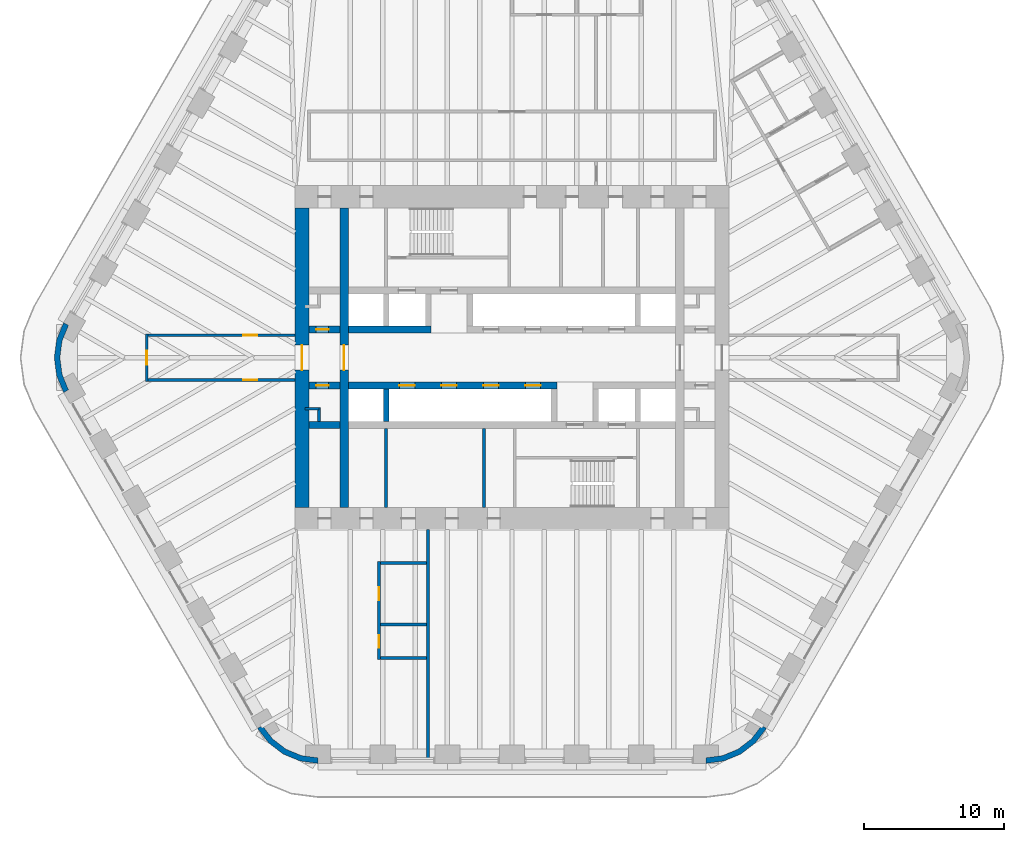
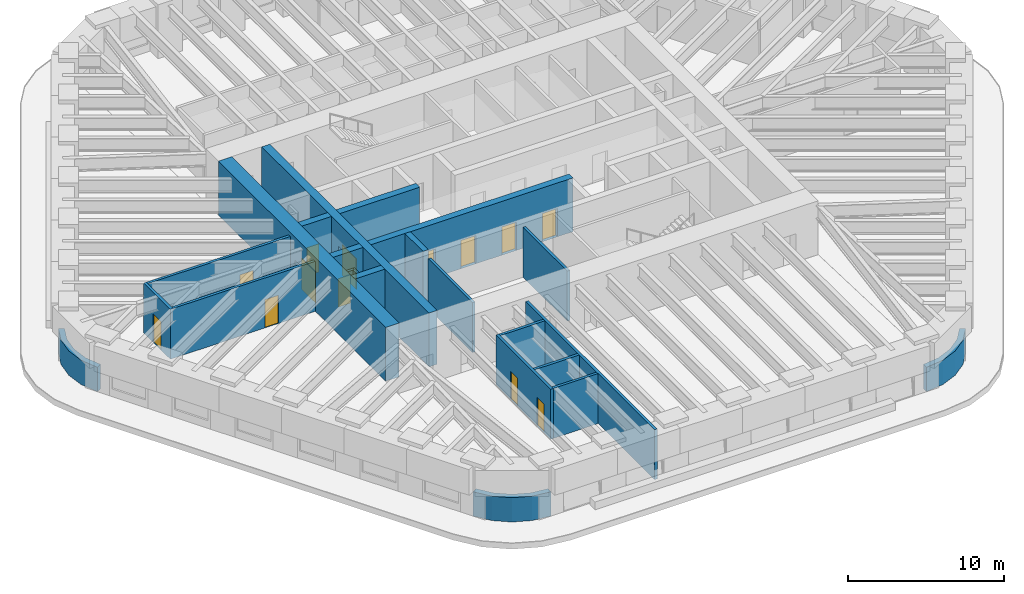
# One storey, part 7 of 12: 23 walls, 13 doors, 13 openings.
"""IFC4 building model written with IfcOpenShell, lengths in metres."""

from ifc_helpers import new_model, si_unit, direction, frame, frame_2d, origin, place, context, subcontext, project, spatial, polyline, rectangle, outline, extrude, material, layer, layer_set, type_object, element, fill, save


model = new_model("IFC4")

# Units and contexts
model_context = context("Model", 3, precision=1e-05, world=origin(), true_north=direction((0.0, 1.0)))
body_context = subcontext(model_context, "Body", "Model", "MODEL_VIEW")
ifc_project = project(units=[si_unit("LENGTHUNIT", "METRE"), si_unit("AREAUNIT", "SQUARE_METRE"), si_unit("VOLUMEUNIT", "CUBIC_METRE"), si_unit("PLANEANGLEUNIT", "RADIAN"), si_unit("MASSUNIT", "GRAM", prefix="KILO")], contexts=[model_context])

# Site, building, storey
site_placement = place(None, origin())
site = spatial("IfcSite", under=ifc_project, at=site_placement, CompositionType="ELEMENT")
building_placement = place(site_placement, origin())
building = spatial("IfcBuilding", under=site, at=building_placement, Name="Tarfa Lantern Tower", CompositionType="ELEMENT")
storey_placement = place(building_placement, frame((0.0, 0.0, 295.300048828125)))
storey = spatial("IfcBuildingStorey", under=building, at=storey_placement, Name="L67", CompositionType="ELEMENT", Elevation=295.300048828125)

# Walls
ifc_material_1 = material(Name="Limestone cladding on blockwork", Category="masonry")
ifc_layer_1 = layer(ifc_material_1, 0.39990234375)
ifc_layer_set_1 = layer_set([ifc_layer_1], Name="EW2 CURVED STONE CORNER 400")
wall_type_1 = type_object("IfcWallType", Name="EW2 CURVED STONE CORNER 400", PredefinedType="SOLIDWALL", material=ifc_layer_set_1)
wall_1_placement = place(storey_placement, origin())
element("IfcWall", 1, at=wall_1_placement, inside=storey, type_object=wall_type_1, Name="Stone corner NW-SW", PredefinedType="SOLIDWALL", context=body_context, shape_type="SweptSolid", body=[
    extrude(outline(polyline([(-32.04296875, 2.5), (-32.54248046875, 1.294189453125), (-32.712890625, 0.0), (-32.54248046875, -1.294189453125), (-32.04296875, -2.5), (-31.696533203125, -2.300048828125), (-32.156005859375, -1.190673828125), (-32.312744140625, 0.0), (-32.156005859375, 1.190673828125), (-31.696533203125, 2.300048828125), (-32.04296875, 2.5)])), origin(), (0.0, 0.0, 1.0), 1.89990234375),
])
wall_2_placement = place(storey_placement, origin())
element("IfcWall", 2, at=wall_2_placement, inside=storey, type_object=wall_type_1, Name="Stone corner SW-S", PredefinedType="SOLIDWALL", context=body_context, shape_type="SweptSolid", body=[
    extrude(outline(polyline([(-18.1865234375, -26.5), (-17.391845703125, -27.53564453125), (-16.3564453125, -28.330078125), (-15.150390625, -28.82958984375), (-13.8564453125, -29.0), (-13.8564453125, -28.60009765625), (-15.046875, -28.443359375), (-16.156494140625, -27.983642578125), (-17.109130859375, -27.252685546875), (-17.840087890625, -26.300048828125), (-18.1865234375, -26.5)])), origin(), (0.0, 0.0, 1.0), 1.89990234375),
])
wall_3_placement = place(storey_placement, origin())
element("IfcWall", 3, at=wall_3_placement, inside=storey, type_object=wall_type_1, Name="Stone corner S-SE", PredefinedType="SOLIDWALL", context=body_context, shape_type="SweptSolid", body=[
    extrude(outline(polyline([(13.8564453125, -29.0), (15.150390625, -28.82958984375), (16.3564453125, -28.330078125), (17.391845703125, -27.53564453125), (18.1865234375, -26.5), (17.840087890625, -26.300048828125), (17.109130859375, -27.252685546875), (16.156494140625, -27.983642578125), (15.046875, -28.443359375), (13.8564453125, -28.60009765625), (13.8564453125, -29.0)])), origin(), (0.0, 0.0, 1.0), 1.89990234375),
])
ifc_material_2 = material(Name="Concrete blockwork", Category="masonry")
ifc_layer_2 = layer(ifc_material_2, 0.199951171875)
ifc_layer_set_2 = layer_set([ifc_layer_2], Name="IW1 BLOCKWORK PARTITION 200 EI 120")
wall_type_2 = type_object("IfcWallType", Name="IW1 BLOCKWORK PARTITION 200 EI 120", PredefinedType="PARTITIONING", material=ifc_layer_set_2)
for number, where, z_axis, x_axis, name in (
    (4, (-9.0, -5.050048828125, 0.0), (0.0, 0.0, 1.0), (0.0, -1.0, 0.0), "Core partition"),
    (5, (-2.0, -5.050048828125, 0.0), (0.0, 0.0, 1.0), (0.0, -1.0, 0.0), "Core partition"),
):
    element("IfcWall", number, at=place(storey_placement, frame(where, z_axis=z_axis, x_axis=x_axis)), inside=storey, type_object=wall_type_2, Name=name, PredefinedType="PARTITIONING", context=body_context, shape_type="SweptSolid", body=[
        extrude(rectangle(XDim=5.64990234375, YDim=0.199951171875, at=frame_2d((2.824951171875, 0.0))), origin(), (0.0, 0.0, 1.0), 3.89990234375),
    ])
for number, where, z_axis, x_axis, name in (
    (6, (-13.800048828125, -3.64990234375, 0.0), (0.0, 0.0, 1.0), (-1.0, 0.0, 0.0), "Core partition"),
    (7, (-13.800048828125, -3.550048828125, 0.0), (0.0, 0.0, 1.0), (0.0, -1.0, 0.0), "Core partition"),
):
    element("IfcWall", number, at=place(storey_placement, frame(where, z_axis=z_axis, x_axis=x_axis)), inside=storey, type_object=wall_type_2, Name=name, PredefinedType="PARTITIONING", context=body_context, shape_type="SweptSolid", body=[
        extrude(rectangle(XDim=1.0, YDim=0.199951171875, at=frame_2d((0.5, 0.0))), origin(), (0.0, 0.0, 1.0), 3.89990234375),
    ])

# Wall, opening, door
ifc_material_3 = material(Name="Gypsum board on steel studs", Category="steel")
ifc_layer_3 = layer(ifc_material_3, 0.2099609375)
ifc_layer_set_3 = layer_set([ifc_layer_3], Name="IW2 ACOUSTIC PARTITION 200")
wall_type_3 = type_object("IfcWallType", Name="IW2 ACOUSTIC PARTITION 200", PredefinedType="PARTITIONING", material=ifc_layer_set_3)
wall_4_placement = place(storey_placement, frame((-15.5, 1.60009765625, 0.0), z_axis=(0.0, 0.0, 1.0), x_axis=(-1.0, 0.0, 0.0)))
wall_4 = element("IfcWall", 8, at=wall_4_placement, inside=storey, type_object=wall_type_3, Name="Partition", PredefinedType="PARTITIONING", context=body_context, shape_type="SweptSolid", body=[
    extrude(rectangle(XDim=10.699951171875, YDim=0.199951171875, at=frame_2d((5.35009765625, 0.0))), origin(), (0.0, 0.0, 1.0), 3.89990234375),
])
opening_1_placement = place(wall_4_placement, frame((2.7099609375, 0.0, 0.0)))
opening_1 = element("IfcOpeningElement", 9, at=opening_1_placement, cuts=wall_4, Name="Opening D40", PredefinedType="OPENING", context=body_context, shape_type="SweptSolid", body=[
    extrude(rectangle(XDim=1.0, YDim=2.199951171875, at=frame_2d((0.5, 1.10009765625))), frame((0.0, 0.10986328125, 0.0), z_axis=(0.0, -1.0, 0.0), x_axis=(1.0, 0.0, 0.0)), (0.0, 0.0, 1.0), 0.219970703125),
])
ifc_material_4 = material(Name="Timber door", Category="wood")
door_type_1 = type_object("IfcDoorType", Name="DR1 ROOM DOOR 1000x2200", OperationType="SINGLE_SWING_LEFT", PredefinedType="DOOR", material=ifc_material_4)
door_1_placement = place(opening_1_placement, frame((1.0, 0.0, 0.0), z_axis=(0.0, 0.0, 1.0), x_axis=(-1.0, 0.0, 0.0)))
door_1 = element("IfcDoor", 10, at=door_1_placement, inside=storey, type_object=door_type_1, Name="Corridor door", OperationType="SINGLE_SWING_LEFT", OverallHeight=2.199951171875, OverallWidth=1.0, PredefinedType="DOOR", context=body_context, shape_type="SweptSolid", body=[
    extrude(rectangle(XDim=1.0, YDim=2.199951171875, at=frame_2d((0.5, 1.10009765625))), frame((0.0, 0.02490234375, 0.0), z_axis=(0.0, -1.0, 0.0), x_axis=(1.0, 0.0, 0.0)), (0.0, 0.0, 1.0), 0.050048828125),
])
fill(opening_1, door_1)

wall_5_placement = place(storey_placement, frame((-15.5, -1.60009765625, 0.0), z_axis=(0.0, 0.0, 1.0), x_axis=(-1.0, 0.0, 0.0)))
wall_5 = element("IfcWall", 11, at=wall_5_placement, inside=storey, type_object=wall_type_3, Name="Partition", PredefinedType="PARTITIONING", context=body_context, shape_type="SweptSolid", body=[
    extrude(rectangle(XDim=10.699951171875, YDim=0.199951171875, at=frame_2d((5.35009765625, 0.0))), origin(), (0.0, 0.0, 1.0), 3.89990234375),
])
opening_2_placement = place(wall_5_placement, frame((2.7099609375, 0.0, 0.0)))
opening_2 = element("IfcOpeningElement", 12, at=opening_2_placement, cuts=wall_5, Name="Opening D41", PredefinedType="OPENING", context=body_context, shape_type="SweptSolid", body=[
    extrude(rectangle(XDim=1.0, YDim=2.199951171875, at=frame_2d((0.5, 1.10009765625))), frame((0.0, 0.10986328125, 0.0), z_axis=(0.0, -1.0, 0.0), x_axis=(1.0, 0.0, 0.0)), (0.0, 0.0, 1.0), 0.219970703125),
])
door_2_placement = place(opening_2_placement, origin())
door_2 = element("IfcDoor", 13, at=door_2_placement, inside=storey, type_object=door_type_1, Name="Corridor door", OperationType="SINGLE_SWING_RIGHT", OverallHeight=2.199951171875, OverallWidth=1.0, PredefinedType="DOOR", context=body_context, shape_type="SweptSolid", body=[
    extrude(rectangle(XDim=1.0, YDim=2.199951171875, at=frame_2d((0.5, 1.10009765625))), frame((0.0, 0.02490234375, 0.0), z_axis=(0.0, -1.0, 0.0), x_axis=(1.0, 0.0, 0.0)), (0.0, 0.0, 1.0), 0.050048828125),
])
fill(opening_2, door_2)

wall_6_placement = place(storey_placement, frame((-26.10009765625, -1.699951171875, 0.0), z_axis=(0.0, 0.0, 1.0), x_axis=(0.0, 1.0, 0.0)))
wall_6 = element("IfcWall", 14, at=wall_6_placement, inside=storey, type_object=wall_type_3, Name="Partition", PredefinedType="PARTITIONING", context=body_context, shape_type="SweptSolid", body=[
    extrude(rectangle(XDim=3.39990234375, YDim=0.199951171875, at=frame_2d((1.699951171875, 0.0))), origin(), (0.0, 0.0, 1.0), 3.89990234375),
])
opening_3_placement = place(wall_6_placement, frame((1.199951171875, 0.0, 0.0)))
opening_3 = element("IfcOpeningElement", 15, at=opening_3_placement, cuts=wall_6, Name="Opening D39", PredefinedType="OPENING", context=body_context, shape_type="SweptSolid", body=[
    extrude(rectangle(XDim=1.0, YDim=2.199951171875, at=frame_2d((0.5, 1.10009765625))), frame((0.0, 0.10986328125, 0.0), z_axis=(0.0, -1.0, 0.0), x_axis=(1.0, 0.0, 0.0)), (0.0, 0.0, 1.0), 0.219970703125),
])
door_3_placement = place(opening_3_placement, origin())
door_3 = element("IfcDoor", 16, at=door_3_placement, inside=storey, type_object=door_type_1, Name="Corridor door", OperationType="SINGLE_SWING_RIGHT", OverallHeight=2.199951171875, OverallWidth=1.0, PredefinedType="DOOR", context=body_context, shape_type="SweptSolid", body=[
    extrude(rectangle(XDim=1.0, YDim=2.199951171875, at=frame_2d((0.5, 1.10009765625))), frame((0.0, 0.02490234375, 0.0), z_axis=(0.0, -1.0, 0.0), x_axis=(1.0, 0.0, 0.0)), (0.0, 0.0, 1.0), 0.050048828125),
])
fill(opening_3, door_3)

# Wall
wall_7_placement = place(storey_placement, frame((-6.0, -12.300048828125, 0.0), z_axis=(0.0, 0.0, 1.0), x_axis=(0.0, -1.0, 0.0)))
element("IfcWall", 17, at=wall_7_placement, inside=storey, type_object=wall_type_3, Name="Partition", PredefinedType="PARTITIONING", context=body_context, shape_type="SweptSolid", body=[
    extrude(rectangle(XDim=16.5, YDim=0.199951171875, at=frame_2d((8.25, 0.0))), origin(), (0.0, 0.0, 1.0), 3.89990234375),
])

# Wall, openings, doors
wall_8_placement = place(storey_placement, frame((-9.5, -14.574951171875, 0.0), z_axis=(0.0, 0.0, 1.0), x_axis=(0.0, -1.0, 0.0)))
wall_8 = element("IfcWall", 18, at=wall_8_placement, inside=storey, type_object=wall_type_3, Name="Partition", PredefinedType="PARTITIONING", context=body_context, shape_type="SweptSolid", body=[
    extrude(rectangle(XDim=7.0, YDim=0.199951171875, at=frame_2d((3.5, 0.0))), origin(), (0.0, 0.0, 1.0), 3.89990234375),
])
opening_4_placement = place(wall_8_placement, frame((1.85009765625, 0.0, 0.0)))
opening_4 = element("IfcOpeningElement", 19, at=opening_4_placement, cuts=wall_8, Name="Opening D34", PredefinedType="OPENING", context=body_context, shape_type="SweptSolid", body=[
    extrude(rectangle(XDim=0.89990234375, YDim=2.199951171875, at=frame_2d((0.449951171875, 1.10009765625))), frame((0.0, 0.10986328125, 0.0), z_axis=(0.0, -1.0, 0.0), x_axis=(1.0, 0.0, 0.0)), (0.0, 0.0, 1.0), 0.219970703125),
])
opening_5_placement = place(wall_8_placement, frame((5.25, 0.0, 0.0)))
opening_5 = element("IfcOpeningElement", 20, at=opening_5_placement, cuts=wall_8, Name="Opening D35", PredefinedType="OPENING", context=body_context, shape_type="SweptSolid", body=[
    extrude(rectangle(XDim=0.89990234375, YDim=2.199951171875, at=frame_2d((0.449951171875, 1.10009765625))), frame((0.0, 0.10986328125, 0.0), z_axis=(0.0, -1.0, 0.0), x_axis=(1.0, 0.0, 0.0)), (0.0, 0.0, 1.0), 0.219970703125),
])
door_type_2 = type_object("IfcDoorType", Name="DR3 ROOM DOOR 900x2200", OperationType="SINGLE_SWING_LEFT", PredefinedType="DOOR", material=ifc_material_4)
door_4_placement = place(opening_4_placement, origin())
door_4 = element("IfcDoor", 21, at=door_4_placement, inside=storey, type_object=door_type_2, Name="Project room door", OperationType="SINGLE_SWING_RIGHT", OverallHeight=2.199951171875, OverallWidth=0.89990234375, PredefinedType="DOOR", context=body_context, shape_type="SweptSolid", body=[
    extrude(rectangle(XDim=0.89990234375, YDim=2.199951171875, at=frame_2d((0.449951171875, 1.10009765625))), frame((0.0, 0.02490234375, 0.0), z_axis=(0.0, -1.0, 0.0), x_axis=(1.0, 0.0, 0.0)), (0.0, 0.0, 1.0), 0.050048828125),
])
fill(opening_4, door_4)
door_5_placement = place(opening_5_placement, origin())
door_5 = element("IfcDoor", 22, at=door_5_placement, inside=storey, type_object=door_type_2, Name="Print and copy room door", OperationType="SINGLE_SWING_LEFT", OverallHeight=2.199951171875, OverallWidth=0.89990234375, PredefinedType="DOOR", context=body_context, shape_type="SweptSolid", body=[
    extrude(rectangle(XDim=0.89990234375, YDim=2.199951171875, at=frame_2d((0.449951171875, 1.10009765625))), frame((0.0, 0.02490234375, 0.0), z_axis=(0.0, -1.0, 0.0), x_axis=(1.0, 0.0, 0.0)), (0.0, 0.0, 1.0), 0.050048828125),
])
fill(opening_5, door_5)

# Walls
for number, where, z_axis, x_axis, name in (
    (23, (-6.10009765625, -14.675048828125, 0.0), (0.0, 0.0, 1.0), (-1.0, 0.0, 0.0), "Partition"),
    (24, (-6.10009765625, -19.074951171875, 0.0), (0.0, 0.0, 1.0), (-1.0, 0.0, 0.0), "Partition"),
    (25, (-6.10009765625, -21.47509765625, 0.0), (0.0, 0.0, 1.0), (-1.0, 0.0, 0.0), "Partition"),
):
    element("IfcWall", number, at=place(storey_placement, frame(where, z_axis=z_axis, x_axis=x_axis)), inside=storey, type_object=wall_type_3, Name=name, PredefinedType="PARTITIONING", context=body_context, shape_type="SweptSolid", body=[
        extrude(rectangle(XDim=3.2998046875, YDim=0.199951171875, at=frame_2d((1.64990234375, 0.0))), origin(), (0.0, 0.0, 1.0), 3.89990234375),
    ])

# Wall, opening, door
ifc_material_5 = material(Name="Concrete C80/95", Category="concrete")
ifc_layer_4 = layer(ifc_material_5, 1.0)
ifc_layer_set_4 = layer_set([ifc_layer_4], Name="SW2 CORE WALL 1000")
wall_type_4 = type_object("IfcWallType", Name="SW2 CORE WALL 1000", PredefinedType="SHEAR", material=ifc_layer_set_4)
wall_9_placement = place(storey_placement, frame((-15.0, 10.699951171875, 0.0), z_axis=(0.0, 0.0, 1.0), x_axis=(0.0, -1.0, 0.0)))
wall_9 = element("IfcWall", 26, at=wall_9_placement, inside=storey, type_object=wall_type_4, Name="Core wall W", PredefinedType="SHEAR", context=body_context, shape_type="SweptSolid", body=[
    extrude(rectangle(XDim=21.39990234375, YDim=1.0, at=frame_2d((10.699951171875, 0.0))), origin(), (0.0, 0.0, 1.0), 4.199951171875),
])
opening_6_placement = place(wall_9_placement, frame((9.800048828125, 0.0, 0.0)))
opening_6 = element("IfcOpeningElement", 27, at=opening_6_placement, cuts=wall_9, Name="Opening D12", PredefinedType="OPENING", context=body_context, shape_type="SweptSolid", body=[
    extrude(rectangle(XDim=1.800048828125, YDim=2.39990234375, at=frame_2d((0.89990234375, 1.199951171875))), frame((0.0, 0.510009765625, 0.0), z_axis=(0.0, -1.0, 0.0), x_axis=(1.0, 0.0, 0.0)), (0.0, 0.0, 1.0), 1.02001953125),
])
ifc_material_6 = material(Name="Steel fire door", Category="steel")
door_type_3 = type_object("IfcDoorType", Name="DL1 LOBBY DOOR 1800x2400", OperationType="DOUBLE_DOOR_SINGLE_SWING", PredefinedType="DOOR", material=ifc_material_6)
door_6_placement = place(opening_6_placement, frame((1.800048828125, 0.0, 0.0), z_axis=(0.0, 0.0, 1.0), x_axis=(-1.0, 0.0, 0.0)))
door_6 = element("IfcDoor", 28, at=door_6_placement, inside=storey, type_object=door_type_3, Name="Lift lobby door", OperationType="DOUBLE_DOOR_SINGLE_SWING", OverallHeight=2.39990234375, OverallWidth=1.800048828125, PredefinedType="DOOR", context=body_context, shape_type="SweptSolid", body=[
    extrude(rectangle(XDim=1.800048828125, YDim=2.39990234375, at=frame_2d((0.89990234375, 1.199951171875))), frame((0.0, 0.02490234375, 0.0), z_axis=(0.0, -1.0, 0.0), x_axis=(1.0, 0.0, 0.0)), (0.0, 0.0, 1.0), 0.050048828125),
])
fill(opening_6, door_6)

ifc_layer_5 = layer(ifc_material_5, 0.5)
ifc_layer_set_5 = layer_set([ifc_layer_5], Name="SW5 CORE WALL 500")
wall_type_5 = type_object("IfcWallType", Name="SW5 CORE WALL 500", PredefinedType="SHEAR", material=ifc_layer_set_5)
wall_10_placement = place(storey_placement, frame((-14.5, 2.0, 0.0), z_axis=(0.0, 0.0, 1.0), x_axis=(1.0, 0.0, 0.0)))
wall_10 = element("IfcWall", 29, at=wall_10_placement, inside=storey, type_object=wall_type_5, Name="Core wall lobby west N", PredefinedType="SHEAR", context=body_context, shape_type="SweptSolid", body=[
    extrude(rectangle(XDim=2.199951171875, YDim=0.5, at=frame_2d((1.10009765625, 0.0))), origin(), (0.0, 0.0, 1.0), 4.199951171875),
])
opening_7_placement = place(wall_10_placement, frame((0.5, 0.0, 0.0)))
opening_7 = element("IfcOpeningElement", 30, at=opening_7_placement, cuts=wall_10, Name="Opening D15", PredefinedType="OPENING", context=body_context, shape_type="SweptSolid", body=[
    extrude(rectangle(XDim=0.89990234375, YDim=2.199951171875, at=frame_2d((0.449951171875, 1.10009765625))), frame((0.0, 0.260009765625, 0.0), z_axis=(0.0, -1.0, 0.0), x_axis=(1.0, 0.0, 0.0)), (0.0, 0.0, 1.0), 0.52001953125),
])
door_type_4 = type_object("IfcDoorType", Name="DF6 SERVICE ROOM DOOR 900x2200", OperationType="SINGLE_SWING_LEFT", PredefinedType="DOOR", material=ifc_material_6)
door_7_placement = place(opening_7_placement, origin())
door_7 = element("IfcDoor", 31, at=door_7_placement, inside=storey, type_object=door_type_4, Name="Service room door", OperationType="SINGLE_SWING_RIGHT", OverallHeight=2.199951171875, OverallWidth=0.89990234375, PredefinedType="DOOR", context=body_context, shape_type="SweptSolid", body=[
    extrude(rectangle(XDim=0.89990234375, YDim=2.199951171875, at=frame_2d((0.449951171875, 1.10009765625))), frame((0.0, 0.02490234375, 0.0), z_axis=(0.0, -1.0, 0.0), x_axis=(1.0, 0.0, 0.0)), (0.0, 0.0, 1.0), 0.050048828125),
])
fill(opening_7, door_7)

# Wall
wall_11_placement = place(storey_placement, frame((-11.699951171875, 2.0, 0.0), z_axis=(0.0, 0.0, 1.0), x_axis=(1.0, 0.0, 0.0)))
element("IfcWall", 32, at=wall_11_placement, inside=storey, type_object=wall_type_5, Name="Core wall lobby west N", PredefinedType="SHEAR", context=body_context, shape_type="SweptSolid", body=[
    extrude(rectangle(XDim=5.89990234375, YDim=0.5, at=frame_2d((2.949951171875, 0.0))), origin(), (0.0, 0.0, 1.0), 4.199951171875),
])

# Wall, openings, doors
wall_12_placement = place(storey_placement, frame((3.199951171875, -2.0, 0.0), z_axis=(0.0, 0.0, 1.0), x_axis=(-1.0, 0.0, 0.0)))
wall_12 = element("IfcWall", 33, at=wall_12_placement, inside=storey, type_object=wall_type_5, Name="Core wall lobby east S", PredefinedType="SHEAR", context=body_context, shape_type="SweptSolid", body=[
    extrude(rectangle(XDim=14.89990234375, YDim=0.5, at=frame_2d((7.449951171875, 0.0))), origin(), (0.0, 0.0, 1.0), 4.199951171875),
])
opening_8_placement = place(wall_12_placement, frame((1.14990234375, 0.0, 0.0)))
opening_8 = element("IfcOpeningElement", 34, at=opening_8_placement, cuts=wall_12, Name="Opening LD07", PredefinedType="OPENING", context=body_context, shape_type="SweptSolid", body=[
    extrude(rectangle(XDim=1.10009765625, YDim=2.199951171875, at=frame_2d((0.550048828125, 1.10009765625))), frame((0.0, 0.260009765625, 0.0), z_axis=(0.0, -1.0, 0.0), x_axis=(1.0, 0.0, 0.0)), (0.0, 0.0, 1.0), 0.52001953125),
])
opening_9_placement = place(wall_12_placement, frame((4.14990234375, 0.0, 0.0)))
opening_9 = element("IfcOpeningElement", 35, at=opening_9_placement, cuts=wall_12, Name="Opening LD08", PredefinedType="OPENING", context=body_context, shape_type="SweptSolid", body=[
    extrude(rectangle(XDim=1.10009765625, YDim=2.199951171875, at=frame_2d((0.550048828125, 1.10009765625))), frame((0.0, 0.260009765625, 0.0), z_axis=(0.0, -1.0, 0.0), x_axis=(1.0, 0.0, 0.0)), (0.0, 0.0, 1.0), 0.52001953125),
])
opening_10_placement = place(wall_12_placement, frame((7.14990234375, 0.0, 0.0)))
opening_10 = element("IfcOpeningElement", 36, at=opening_10_placement, cuts=wall_12, Name="Opening LD09", PredefinedType="OPENING", context=body_context, shape_type="SweptSolid", body=[
    extrude(rectangle(XDim=1.10009765625, YDim=2.199951171875, at=frame_2d((0.550048828125, 1.10009765625))), frame((0.0, 0.260009765625, 0.0), z_axis=(0.0, -1.0, 0.0), x_axis=(1.0, 0.0, 0.0)), (0.0, 0.0, 1.0), 0.52001953125),
])
opening_11_placement = place(wall_12_placement, frame((10.14990234375, 0.0, 0.0)))
opening_11 = element("IfcOpeningElement", 37, at=opening_11_placement, cuts=wall_12, Name="Opening LD10", PredefinedType="OPENING", context=body_context, shape_type="SweptSolid", body=[
    extrude(rectangle(XDim=1.10009765625, YDim=2.199951171875, at=frame_2d((0.550048828125, 1.10009765625))), frame((0.0, 0.260009765625, 0.0), z_axis=(0.0, -1.0, 0.0), x_axis=(1.0, 0.0, 0.0)), (0.0, 0.0, 1.0), 0.52001953125),
])
ifc_material_7 = material(Name="Stainless steel lift door", Category="steel")
door_type_5 = type_object("IfcDoorType", Name="LD2 LIFT LANDING DOOR 1100x2200", OperationType="SLIDING_TO_LEFT", PredefinedType="DOOR", material=ifc_material_7)
door_8_placement = place(opening_8_placement, frame((1.10009765625, 0.0, 0.0), z_axis=(0.0, 0.0, 1.0), x_axis=(-1.0, 0.0, 0.0)))
door_8 = element("IfcDoor", 38, at=door_8_placement, inside=storey, type_object=door_type_5, Name="Landing door PC5", OperationType="SLIDING_TO_LEFT", OverallHeight=2.199951171875, OverallWidth=1.10009765625, PredefinedType="DOOR", context=body_context, shape_type="SweptSolid", body=[
    extrude(rectangle(XDim=1.10009765625, YDim=2.199951171875, at=frame_2d((0.550048828125, 1.10009765625))), frame((0.0, 0.02490234375, 0.0), z_axis=(0.0, -1.0, 0.0), x_axis=(1.0, 0.0, 0.0)), (0.0, 0.0, 1.0), 0.050048828125),
])
fill(opening_8, door_8)
door_9_placement = place(opening_9_placement, frame((1.10009765625, 0.0, 0.0), z_axis=(0.0, 0.0, 1.0), x_axis=(-1.0, 0.0, 0.0)))
door_9 = element("IfcDoor", 39, at=door_9_placement, inside=storey, type_object=door_type_5, Name="Landing door PC6", OperationType="SLIDING_TO_LEFT", OverallHeight=2.199951171875, OverallWidth=1.10009765625, PredefinedType="DOOR", context=body_context, shape_type="SweptSolid", body=[
    extrude(rectangle(XDim=1.10009765625, YDim=2.199951171875, at=frame_2d((0.550048828125, 1.10009765625))), frame((0.0, 0.02490234375, 0.0), z_axis=(0.0, -1.0, 0.0), x_axis=(1.0, 0.0, 0.0)), (0.0, 0.0, 1.0), 0.050048828125),
])
fill(opening_9, door_9)
door_10_placement = place(opening_10_placement, frame((1.10009765625, 0.0, 0.0), z_axis=(0.0, 0.0, 1.0), x_axis=(-1.0, 0.0, 0.0)))
door_10 = element("IfcDoor", 40, at=door_10_placement, inside=storey, type_object=door_type_5, Name="Landing door PC7", OperationType="SLIDING_TO_LEFT", OverallHeight=2.199951171875, OverallWidth=1.10009765625, PredefinedType="DOOR", context=body_context, shape_type="SweptSolid", body=[
    extrude(rectangle(XDim=1.10009765625, YDim=2.199951171875, at=frame_2d((0.550048828125, 1.10009765625))), frame((0.0, 0.02490234375, 0.0), z_axis=(0.0, -1.0, 0.0), x_axis=(1.0, 0.0, 0.0)), (0.0, 0.0, 1.0), 0.050048828125),
])
fill(opening_10, door_10)
door_11_placement = place(opening_11_placement, frame((1.10009765625, 0.0, 0.0), z_axis=(0.0, 0.0, 1.0), x_axis=(-1.0, 0.0, 0.0)))
door_11 = element("IfcDoor", 41, at=door_11_placement, inside=storey, type_object=door_type_5, Name="Landing door PC8", OperationType="SLIDING_TO_LEFT", OverallHeight=2.199951171875, OverallWidth=1.10009765625, PredefinedType="DOOR", context=body_context, shape_type="SweptSolid", body=[
    extrude(rectangle(XDim=1.10009765625, YDim=2.199951171875, at=frame_2d((0.550048828125, 1.10009765625))), frame((0.0, 0.02490234375, 0.0), z_axis=(0.0, -1.0, 0.0), x_axis=(1.0, 0.0, 0.0)), (0.0, 0.0, 1.0), 0.050048828125),
])
fill(opening_11, door_11)

# Wall, opening, door
wall_13_placement = place(storey_placement, frame((-12.300048828125, -2.0, 0.0), z_axis=(0.0, 0.0, 1.0), x_axis=(-1.0, 0.0, 0.0)))
wall_13 = element("IfcWall", 42, at=wall_13_placement, inside=storey, type_object=wall_type_5, Name="Core wall lobby east S", PredefinedType="SHEAR", context=body_context, shape_type="SweptSolid", body=[
    extrude(rectangle(XDim=2.199951171875, YDim=0.5, at=frame_2d((1.10009765625, 0.0))), origin(), (0.0, 0.0, 1.0), 4.199951171875),
])
opening_12_placement = place(wall_13_placement, frame((0.800048828125, 0.0, 0.0)))
opening_12 = element("IfcOpeningElement", 43, at=opening_12_placement, cuts=wall_13, Name="Opening D14", PredefinedType="OPENING", context=body_context, shape_type="SweptSolid", body=[
    extrude(rectangle(XDim=0.89990234375, YDim=2.199951171875, at=frame_2d((0.449951171875, 1.10009765625))), frame((0.0, 0.260009765625, 0.0), z_axis=(0.0, -1.0, 0.0), x_axis=(1.0, 0.0, 0.0)), (0.0, 0.0, 1.0), 0.52001953125),
])
door_12_placement = place(opening_12_placement, origin())
door_12 = element("IfcDoor", 44, at=door_12_placement, inside=storey, type_object=door_type_4, Name="Service room door", OperationType="SINGLE_SWING_LEFT", OverallHeight=2.199951171875, OverallWidth=0.89990234375, PredefinedType="DOOR", context=body_context, shape_type="SweptSolid", body=[
    extrude(rectangle(XDim=0.89990234375, YDim=2.199951171875, at=frame_2d((0.449951171875, 1.10009765625))), frame((0.0, 0.02490234375, 0.0), z_axis=(0.0, -1.0, 0.0), x_axis=(1.0, 0.0, 0.0)), (0.0, 0.0, 1.0), 0.050048828125),
])
fill(opening_12, door_12)

# Walls
wall_14_placement = place(storey_placement, frame((-12.300048828125, -4.800048828125, 0.0), z_axis=(0.0, 0.0, 1.0), x_axis=(-1.0, 0.0, 0.0)))
element("IfcWall", 45, at=wall_14_placement, inside=storey, type_object=wall_type_5, Name="Core wall rear S", PredefinedType="SHEAR", context=body_context, shape_type="SweptSolid", body=[
    extrude(rectangle(XDim=2.199951171875, YDim=0.5, at=frame_2d((1.10009765625, 0.0))), origin(), (0.0, 0.0, 1.0), 4.199951171875),
])
ifc_layer_6 = layer(ifc_material_5, 0.39990234375)
ifc_layer_set_6 = layer_set([ifc_layer_6], Name="SW6 CORE WALL 400")
wall_type_6 = type_object("IfcWallType", Name="SW6 CORE WALL 400", PredefinedType="SHEAR", material=ifc_layer_set_6)
wall_15_placement = place(storey_placement, frame((-9.0, -2.25, 0.0), z_axis=(0.0, 0.0, 1.0), x_axis=(0.0, -1.0, 0.0)))
element("IfcWall", 46, at=wall_15_placement, inside=storey, type_object=wall_type_6, Name="Core wall divider S", PredefinedType="SHEAR", context=body_context, shape_type="SweptSolid", body=[
    extrude(rectangle(XDim=2.300048828125, YDim=0.39990234375, at=frame_2d((1.14990234375, 0.0))), origin(), (0.0, 0.0, 1.0), 4.199951171875),
])

# Wall, opening, door
ifc_layer_7 = layer(ifc_material_5, 0.60009765625)
ifc_layer_set_7 = layer_set([ifc_layer_7], Name="SW9 CORE WALL 600")
wall_type_7 = type_object("IfcWallType", Name="SW9 CORE WALL 600", PredefinedType="SHEAR", material=ifc_layer_set_7)
wall_16_placement = place(storey_placement, frame((-12.0, -10.699951171875, 0.0), z_axis=(0.0, 0.0, 1.0), x_axis=(0.0, 1.0, 0.0)))
wall_16 = element("IfcWall", 47, at=wall_16_placement, inside=storey, type_object=wall_type_7, Name="Core wall cross 12 m west", PredefinedType="SHEAR", context=body_context, shape_type="SweptSolid", body=[
    extrude(rectangle(XDim=21.39990234375, YDim=0.60009765625, at=frame_2d((10.699951171875, 0.0))), origin(), (0.0, 0.0, 1.0), 4.199951171875),
])
opening_13_placement = place(wall_16_placement, frame((9.800048828125, 0.0, 0.0)))
opening_13 = element("IfcOpeningElement", 48, at=opening_13_placement, cuts=wall_16, Name="Opening D26", PredefinedType="OPENING", context=body_context, shape_type="SweptSolid", body=[
    extrude(rectangle(XDim=1.800048828125, YDim=2.39990234375, at=frame_2d((0.89990234375, 1.199951171875))), frame((0.0, 0.31005859375, 0.0), z_axis=(0.0, -1.0, 0.0), x_axis=(1.0, 0.0, 0.0)), (0.0, 0.0, 1.0), 0.6201171875),
])
door_13_placement = place(opening_13_placement, origin())
door_13 = element("IfcDoor", 49, at=door_13_placement, inside=storey, type_object=door_type_3, Name="Lift lobby door", OperationType="DOUBLE_DOOR_SINGLE_SWING", OverallHeight=2.39990234375, OverallWidth=1.800048828125, PredefinedType="DOOR", context=body_context, shape_type="SweptSolid", body=[
    extrude(rectangle(XDim=1.800048828125, YDim=2.39990234375, at=frame_2d((0.89990234375, 1.199951171875))), frame((0.0, 0.02490234375, 0.0), z_axis=(0.0, -1.0, 0.0), x_axis=(1.0, 0.0, 0.0)), (0.0, 0.0, 1.0), 0.050048828125),
])
fill(opening_13, door_13)

save(model, "model.ifc")
